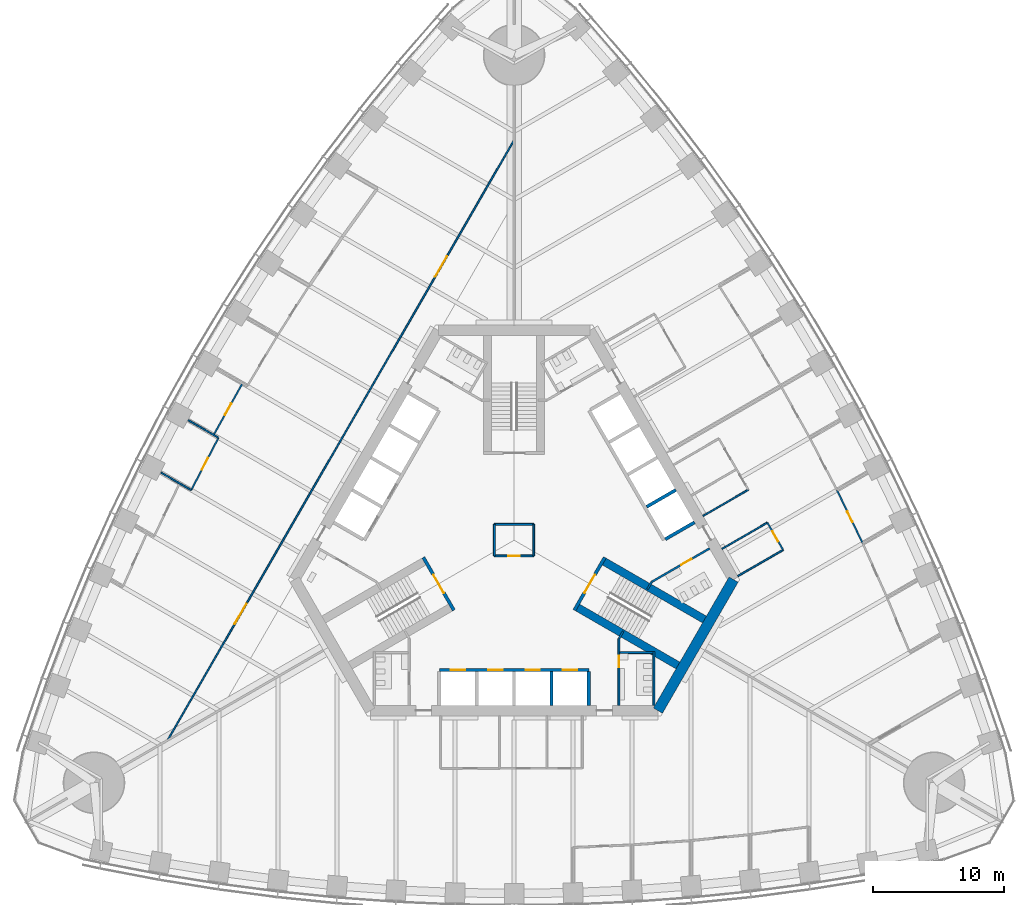
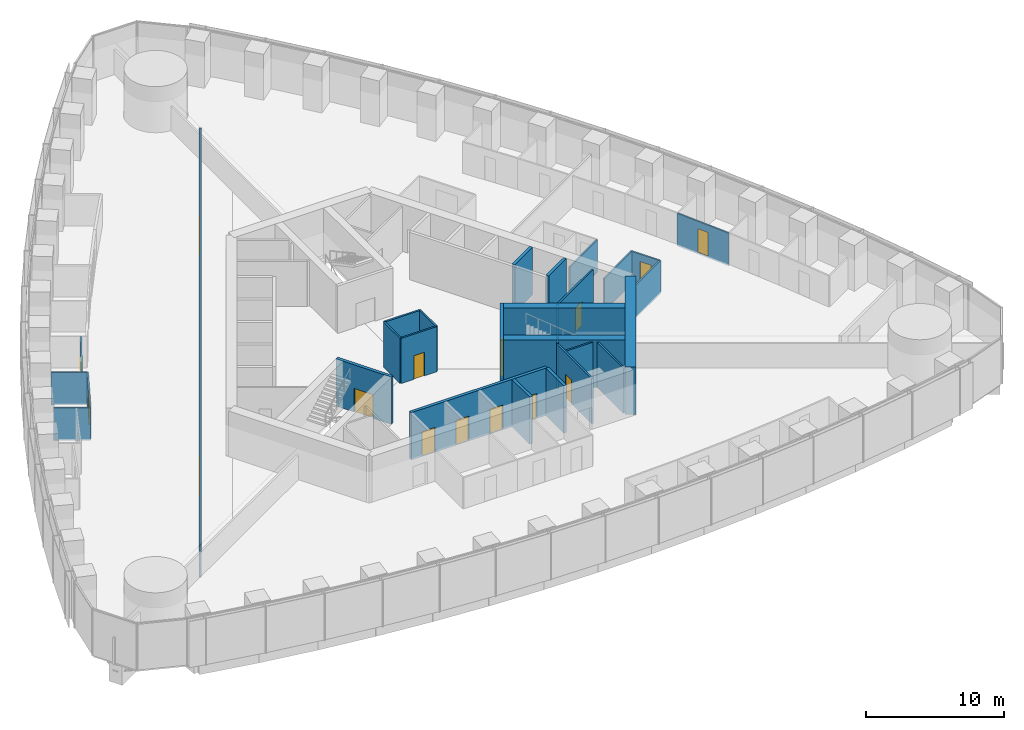
# One storey, part 11 of 18: 30 walls, 15 doors, 15 openings.
"""IFC4 building model written with IfcOpenShell, lengths in metres."""

from ifc_helpers import new_model, si_unit, direction, frame, frame_2d, origin, place, context, subcontext, project, spatial, rectangle, extrude, material, layer, layer_set, type_object, element, fill, save


model = new_model("IFC4")

# Units and contexts
model_context = context("Model", 3, precision=1e-05, world=origin(), true_north=direction((0.0, 1.0)))
body_context = subcontext(model_context, "Body", "Model", "MODEL_VIEW")
ifc_project = project(units=[si_unit("LENGTHUNIT", "METRE"), si_unit("AREAUNIT", "SQUARE_METRE"), si_unit("VOLUMEUNIT", "CUBIC_METRE"), si_unit("PLANEANGLEUNIT", "RADIAN"), si_unit("MASSUNIT", "GRAM", prefix="KILO")], contexts=[model_context])

# Site, building, storey
site_placement = place(None, origin())
site = spatial("IfcSite", under=ifc_project, at=site_placement, CompositionType="ELEMENT")
building_placement = place(site_placement, origin())
building = spatial("IfcBuilding", under=site, at=building_placement, Name="Trefoil Bronze Tower", CompositionType="ELEMENT")
storey_placement = place(building_placement, frame((0.0, 0.0, 50.10009765625)))
storey = spatial("IfcBuildingStorey", under=building, at=storey_placement, Name="L11", CompositionType="ELEMENT", Elevation=50.10009765625)

# Wall
ifc_material_1 = material(Name="Concrete B80", Category="concrete")
ifc_layer_1 = layer(ifc_material_1, 0.800048828125)
ifc_layer_set_1 = layer_set([ifc_layer_1], Name="Core wall 800")
wall_type_1 = type_object("IfcWallType", Name="Core wall 800", PredefinedType="SHEAR", material=ifc_layer_set_1)
wall_1_placement = place(storey_placement, frame((10.9697265625, -13.0, 0.0), z_axis=(0.0, 0.0, 1.0), x_axis=(0.499995765644, 0.866027848477, 0.0)))
element("IfcWall", 1, at=wall_1_placement, inside=storey, type_object=wall_type_1, Name="Core short wall 1 L11", PredefinedType="SHEAR", context=body_context, shape_type="SweptSolid", body=[
    extrude(rectangle(XDim=11.546875, YDim=0.800048828125, at=frame_2d((5.7734375, 0.0))), origin(), (0.0, 0.0, 1.0), 4.199951171875),
])

# Wall, opening, door
ifc_material_2 = material(Name="Glazed partition", Category="glass")
ifc_layer_2 = layer(ifc_material_2, 0.1201171875)
ifc_layer_set_2 = layer_set([ifc_layer_2], Name="Glazed partition 120")
wall_type_2 = type_object("IfcWallType", Name="Glazed partition 120", PredefinedType="PARTITIONING", material=ifc_layer_set_2)
wall_2_placement = place(storey_placement, frame((20.518798828125, -0.73974609375, 0.0), z_axis=(0.0, 0.0, 1.0), x_axis=(-0.499957262057, 0.866050077142, 0.0)))
wall_2 = element("IfcWall", 2, at=wall_2_placement, inside=storey, type_object=wall_type_2, Name="Partition F2 L11", PredefinedType="PARTITIONING", context=body_context, shape_type="SweptSolid", body=[
    extrude(rectangle(XDim=2.400146484375, YDim=0.1201171875, at=frame_2d((1.2001953125, 0.0))), origin(), (0.0, 0.0, 1.0), 2.89990234375),
])
opening_1_placement = place(wall_2_placement, frame((0.75, 0.0, 0.14990234375)))
opening_1 = element("IfcOpeningElement", 3, at=opening_1_placement, cuts=wall_2, Name="Opening D8", PredefinedType="OPENING", context=body_context, shape_type="SweptSolid", body=[
    extrude(rectangle(XDim=0.89990234375, YDim=2.10009765625, at=frame_2d((0.449951171875, 1.050048828125))), frame((0.0, 0.070068359375, 0.0), z_axis=(0.0, -1.0, 0.0), x_axis=(1.0, 0.0, 0.0)), (0.0, 0.0, 1.0), 0.14013671875),
])
ifc_material_3 = material(Name="Timber door", Category="wood")
door_type_1 = type_object("IfcDoorType", Name="Office door 900", OperationType="SINGLE_SWING_LEFT", PredefinedType="DOOR", material=ifc_material_3)
door_1_placement = place(opening_1_placement, origin())
door_1 = element("IfcDoor", 4, at=door_1_placement, inside=storey, type_object=door_type_1, Name="Print and store room door F2 L11", OperationType="SINGLE_SWING_RIGHT", OverallHeight=2.10009765625, OverallWidth=0.89990234375, PredefinedType="DOOR", context=body_context, shape_type="SweptSolid", body=[
    extrude(rectangle(XDim=0.89990234375, YDim=2.10009765625, at=frame_2d((0.449951171875, 1.050048828125))), frame((0.0, 0.02490234375, 0.0), z_axis=(0.0, -1.0, 0.0), x_axis=(1.0, 0.0, 0.0)), (0.0, 0.0, 1.0), 0.050048828125),
])
fill(opening_1, door_1)

# Walls
for number, where, z_axis, x_axis, name in (
    (5, (17.0546875, -2.73974609375, 0.0), (0.0, 0.0, 1.0), (0.866026010844, 0.49999894854, 0.0), "Partition F2 L11"),
    (6, (14.40478515625, 1.850341796875, 0.0), (0.0, 0.0, 1.0), (0.866026010844, 0.49999894854, 0.0), "Partition F2 L11"),
    (7, (15.854736328125, -0.6611328125, 0.0), (0.0, 0.0, 1.0), (0.866026010844, 0.49999894854, 0.0), "Partition F2 L11"),
):
    element("IfcWall", number, at=place(storey_placement, frame(where, z_axis=z_axis, x_axis=x_axis)), inside=storey, type_object=wall_type_2, Name=name, PredefinedType="PARTITIONING", context=body_context, shape_type="SweptSolid", body=[
        extrude(rectangle(XDim=4.0, YDim=0.1201171875, at=frame_2d((2.0, 0.0))), origin(), (0.0, 0.0, 1.0), 2.89990234375),
    ])

# Wall, opening, door
wall_3_placement = place(storey_placement, frame((26.590576171875, -0.236328125, 0.0), z_axis=(0.0, 0.0, 1.0), x_axis=(-0.435857917556, 0.900015486369, 0.0)))
wall_3 = element("IfcWall", 8, at=wall_3_placement, inside=storey, type_object=wall_type_2, Name="Partition F2 L11", PredefinedType="PARTITIONING", context=body_context, shape_type="SweptSolid", body=[
    extrude(rectangle(XDim=4.511962890625, YDim=0.1201171875, at=frame_2d((2.255859375, 0.0))), origin(), (0.0, 0.0, 1.0), 2.89990234375),
])
opening_2_placement = place(wall_3_placement, frame((1.800048828125, 0.0, 0.14990234375)))
opening_2 = element("IfcOpeningElement", 9, at=opening_2_placement, cuts=wall_3, Name="Opening D8", PredefinedType="OPENING", context=body_context, shape_type="SweptSolid", body=[
    extrude(rectangle(XDim=0.89990234375, YDim=2.10009765625, at=frame_2d((0.449951171875, 1.050048828125))), frame((0.0, 0.070068359375, 0.0), z_axis=(0.0, -1.0, 0.0), x_axis=(1.0, 0.0, 0.0)), (0.0, 0.0, 1.0), 0.14013671875),
])
door_2_placement = place(opening_2_placement, frame((0.89990234375, 0.0, 0.0), z_axis=(0.0, 0.0, 1.0), x_axis=(-1.0, 0.0, 0.0)))
door_2 = element("IfcDoor", 10, at=door_2_placement, inside=storey, type_object=door_type_1, Name="Office door F2 L11", OperationType="SINGLE_SWING_RIGHT", OverallHeight=2.10009765625, OverallWidth=0.89990234375, PredefinedType="DOOR", context=body_context, shape_type="SweptSolid", body=[
    extrude(rectangle(XDim=0.89990234375, YDim=2.10009765625, at=frame_2d((0.449951171875, 1.050048828125))), frame((0.0, 0.02490234375, 0.0), z_axis=(0.0, -1.0, 0.0), x_axis=(1.0, 0.0, 0.0)), (0.0, 0.0, 1.0), 0.050048828125),
])
fill(opening_2, door_2)

# Wall, openings, doors
wall_4_placement = place(storey_placement, frame((-0.016357421875, 30.491455078125, 0.0), z_axis=(0.0, 0.0, 1.0), x_axis=(-0.50000091641, -0.866024874695, 0.0)))
wall_4 = element("IfcWall", 11, at=wall_4_placement, inside=storey, type_object=wall_type_2, Name="Partition F3 L11", PredefinedType="PARTITIONING", context=body_context, shape_type="SweptSolid", body=[
    extrude(rectangle(XDim=52.79638671875, YDim=0.1201171875, at=frame_2d((26.398193359375, 0.0))), origin(), (0.0, 0.0, 1.0), 2.89990234375),
])
opening_3_placement = place(wall_4_placement, frame((10.199951171875, 0.0, 0.14990234375)))
opening_3 = element("IfcOpeningElement", 12, at=opening_3_placement, cuts=wall_4, Name="Opening D10", PredefinedType="OPENING", context=body_context, shape_type="SweptSolid", body=[
    extrude(rectangle(XDim=1.800048828125, YDim=2.10009765625, at=frame_2d((0.89990234375, 1.050048828125))), frame((0.0, 0.070068359375, 0.0), z_axis=(0.0, -1.0, 0.0), x_axis=(1.0, 0.0, 0.0)), (0.0, 0.0, 1.0), 0.14013671875),
])
opening_4_placement = place(wall_4_placement, frame((40.800048828125, 0.0, 0.14990234375)))
opening_4 = element("IfcOpeningElement", 13, at=opening_4_placement, cuts=wall_4, Name="Opening D10", PredefinedType="OPENING", context=body_context, shape_type="SweptSolid", body=[
    extrude(rectangle(XDim=1.800048828125, YDim=2.10009765625, at=frame_2d((0.89990234375, 1.050048828125))), frame((0.0, 0.070068359375, 0.0), z_axis=(0.0, -1.0, 0.0), x_axis=(1.0, 0.0, 0.0)), (0.0, 0.0, 1.0), 0.14013671875),
])
ifc_material_4 = material(Name="Timber door", Category="wood")
door_type_2 = type_object("IfcDoorType", Name="Double door 1800", OperationType="DOUBLE_DOOR_SINGLE_SWING", PredefinedType="DOOR", material=ifc_material_4)
door_3_placement = place(opening_3_placement, origin())
door_3 = element("IfcDoor", 14, at=door_3_placement, inside=storey, type_object=door_type_2, Name="Corridor door F3 L11", OperationType="DOUBLE_DOOR_SINGLE_SWING", OverallHeight=2.10009765625, OverallWidth=1.800048828125, PredefinedType="DOOR", context=body_context, shape_type="SweptSolid", body=[
    extrude(rectangle(XDim=1.800048828125, YDim=2.10009765625, at=frame_2d((0.89990234375, 1.050048828125))), frame((0.0, 0.02490234375, 0.0), z_axis=(0.0, -1.0, 0.0), x_axis=(1.0, 0.0, 0.0)), (0.0, 0.0, 1.0), 0.050048828125),
])
fill(opening_3, door_3)
door_4_placement = place(opening_4_placement, origin())
door_4 = element("IfcDoor", 15, at=door_4_placement, inside=storey, type_object=door_type_2, Name="Corridor door F3 L11", OperationType="DOUBLE_DOOR_SINGLE_SWING", OverallHeight=2.10009765625, OverallWidth=1.800048828125, PredefinedType="DOOR", context=body_context, shape_type="SweptSolid", body=[
    extrude(rectangle(XDim=1.800048828125, YDim=2.10009765625, at=frame_2d((0.89990234375, 1.050048828125))), frame((0.0, 0.02490234375, 0.0), z_axis=(0.0, -1.0, 0.0), x_axis=(1.0, 0.0, 0.0)), (0.0, 0.0, 1.0), 0.050048828125),
])
fill(opening_4, door_4)

# Wall, opening, door
wall_5_placement = place(storey_placement, frame((-20.718505859375, 11.9619140625, 0.0), z_axis=(0.0, 0.0, 1.0), x_axis=(-0.487392129584, -0.873183206446, 0.0)))
wall_5 = element("IfcWall", 16, at=wall_5_placement, inside=storey, type_object=wall_type_2, Name="Partition F3 L11", PredefinedType="PARTITIONING", context=body_context, shape_type="SweptSolid", body=[
    extrude(rectangle(XDim=4.500732421875, YDim=0.1201171875, at=frame_2d((2.25048828125, 0.0))), origin(), (0.0, 0.0, 1.0), 2.89990234375),
])
opening_5_placement = place(wall_5_placement, frame((1.75, 0.0, 0.14990234375)))
opening_5 = element("IfcOpeningElement", 17, at=opening_5_placement, cuts=wall_5, Name="Opening D9", PredefinedType="OPENING", context=body_context, shape_type="SweptSolid", body=[
    extrude(rectangle(XDim=1.0, YDim=2.10009765625, at=frame_2d((0.5, 1.050048828125))), frame((0.0, 0.070068359375, 0.0), z_axis=(0.0, -1.0, 0.0), x_axis=(1.0, 0.0, 0.0)), (0.0, 0.0, 1.0), 0.14013671875),
])
ifc_material_5 = material(Name="Glazed timber door", Category="wood")
door_type_3 = type_object("IfcDoorType", Name="Meeting room door 1000", OperationType="SINGLE_SWING_LEFT", PredefinedType="DOOR", material=ifc_material_5)
door_5_placement = place(opening_5_placement, frame((1.0, 0.0, 0.0), z_axis=(0.0, 0.0, 1.0), x_axis=(-1.0, 0.0, 0.0)))
door_5 = element("IfcDoor", 18, at=door_5_placement, inside=storey, type_object=door_type_3, Name="Project room door F3 L11", OperationType="SINGLE_SWING_RIGHT", OverallHeight=2.10009765625, OverallWidth=1.0, PredefinedType="DOOR", context=body_context, shape_type="SweptSolid", body=[
    extrude(rectangle(XDim=1.0, YDim=2.10009765625, at=frame_2d((0.5, 1.050048828125))), frame((0.0, 0.02490234375, 0.0), z_axis=(0.0, -1.0, 0.0), x_axis=(1.0, 0.0, 0.0)), (0.0, 0.0, 1.0), 0.050048828125),
])
fill(opening_5, door_5)

wall_6_placement = place(storey_placement, frame((-22.5439453125, 7.819580078125, 0.0), z_axis=(0.0, 0.0, 1.0), x_axis=(-0.461810056307, -0.886978845235, 0.0)))
wall_6 = element("IfcWall", 19, at=wall_6_placement, inside=storey, type_object=wall_type_2, Name="Partition F3 L11", PredefinedType="PARTITIONING", context=body_context, shape_type="SweptSolid", body=[
    extrude(rectangle(XDim=4.504150390625, YDim=0.1201171875, at=frame_2d((2.251953125, 0.0))), origin(), (0.0, 0.0, 1.0), 2.89990234375),
])
opening_6_placement = place(wall_6_placement, frame((1.75, 0.0, 0.14990234375)))
opening_6 = element("IfcOpeningElement", 20, at=opening_6_placement, cuts=wall_6, Name="Opening D9", PredefinedType="OPENING", context=body_context, shape_type="SweptSolid", body=[
    extrude(rectangle(XDim=1.0, YDim=2.10009765625, at=frame_2d((0.5, 1.050048828125))), frame((0.0, 0.070068359375, 0.0), z_axis=(0.0, -1.0, 0.0), x_axis=(1.0, 0.0, 0.0)), (0.0, 0.0, 1.0), 0.14013671875),
])
door_6_placement = place(opening_6_placement, frame((1.0, 0.0, 0.0), z_axis=(0.0, 0.0, 1.0), x_axis=(-1.0, 0.0, 0.0)))
door_6 = element("IfcDoor", 21, at=door_6_placement, inside=storey, type_object=door_type_3, Name="Meeting room door F3 L11", OperationType="SINGLE_SWING_RIGHT", OverallHeight=2.10009765625, OverallWidth=1.0, PredefinedType="DOOR", context=body_context, shape_type="SweptSolid", body=[
    extrude(rectangle(XDim=1.0, YDim=2.10009765625, at=frame_2d((0.5, 1.050048828125))), frame((0.0, 0.02490234375, 0.0), z_axis=(0.0, -1.0, 0.0), x_axis=(1.0, 0.0, 0.0)), (0.0, 0.0, 1.0), 0.050048828125),
])
fill(opening_6, door_6)

# Walls
wall_7_placement = place(storey_placement, frame((-22.5439453125, 7.819580078125, 0.0), z_axis=(0.0, 0.0, 1.0), x_axis=(-0.866022619654, 0.500004822225, 0.0)))
element("IfcWall", 22, at=wall_7_placement, inside=storey, type_object=wall_type_2, Name="Partition F3 L11", PredefinedType="PARTITIONING", context=body_context, shape_type="SweptSolid", body=[
    extrude(rectangle(XDim=2.66943359375, YDim=0.1201171875, at=frame_2d((1.334716796875, 0.0))), origin(), (0.0, 0.0, 1.0), 2.89990234375),
])
wall_8_placement = place(storey_placement, frame((-24.6240234375, 3.824462890625, 0.0), z_axis=(0.0, 0.0, 1.0), x_axis=(-0.866020974757, 0.500007671222, 0.0)))
element("IfcWall", 23, at=wall_8_placement, inside=storey, type_object=wall_type_2, Name="Partition F3 L11", PredefinedType="PARTITIONING", context=body_context, shape_type="SweptSolid", body=[
    extrude(rectangle(XDim=2.66748046875, YDim=0.1201171875, at=frame_2d((1.333740234375, 0.0))), origin(), (0.0, 0.0, 1.0), 2.89990234375),
])

# Wall, opening, door
ifc_material_6 = material(Name="Gypsum board on steel studs", Category="steel")
ifc_layer_3 = layer(ifc_material_6, 0.14990234375)
ifc_layer_set_3 = layer_set([ifc_layer_3], Name="Partition 150")
wall_type_3 = type_object("IfcWallType", Name="Partition 150", PredefinedType="PARTITIONING", material=ifc_layer_set_3)
wall_9_placement = place(storey_placement, frame((8.0, -7.5, 0.0), z_axis=(0.0, 0.0, 1.0), x_axis=(0.0, -1.0, 0.0)))
wall_9 = element("IfcWall", 24, at=wall_9_placement, inside=storey, type_object=wall_type_3, Name="Passage wall F1+ L11", PredefinedType="PARTITIONING", context=body_context, shape_type="SweptSolid", body=[
    extrude(rectangle(XDim=5.10009765625, YDim=0.14990234375, at=frame_2d((2.550048828125, 0.0))), origin(), (0.0, 0.0, 1.0), 4.0),
])
opening_7_placement = place(wall_9_placement, frame((1.300048828125, 0.0, 0.0)))
opening_7 = element("IfcOpeningElement", 25, at=opening_7_placement, cuts=wall_9, Name="Opening D3", PredefinedType="OPENING", context=body_context, shape_type="SweptSolid", body=[
    extrude(rectangle(XDim=0.89990234375, YDim=2.10009765625, at=frame_2d((0.449951171875, 1.050048828125))), frame((0.0, 0.0849609375, 0.0), z_axis=(0.0, -1.0, 0.0), x_axis=(1.0, 0.0, 0.0)), (0.0, 0.0, 1.0), 0.169921875),
])
ifc_material_7 = material(Name="Timber door", Category="wood")
door_type_4 = type_object("IfcDoorType", Name="WC door 900", OperationType="SINGLE_SWING_LEFT", PredefinedType="DOOR", material=ifc_material_7)
door_7_placement = place(opening_7_placement, origin())
door_7 = element("IfcDoor", 26, at=door_7_placement, inside=storey, type_object=door_type_4, Name="WC (men) door L11", OperationType="SINGLE_SWING_LEFT", OverallHeight=2.10009765625, OverallWidth=0.89990234375, PredefinedType="DOOR", context=body_context, shape_type="SweptSolid", body=[
    extrude(rectangle(XDim=0.89990234375, YDim=2.10009765625, at=frame_2d((0.449951171875, 1.050048828125))), frame((0.0, 0.02490234375, 0.0), z_axis=(0.0, -1.0, 0.0), x_axis=(1.0, 0.0, 0.0)), (0.0, 0.0, 1.0), 0.050048828125),
])
fill(opening_7, door_7)

wall_10_placement = place(storey_placement, frame((10.4951171875, -3.17822265625, 0.0), z_axis=(0.0, 0.0, 1.0), x_axis=(0.86602216432, 0.500005610874, 0.0)))
wall_10 = element("IfcWall", 27, at=wall_10_placement, inside=storey, type_object=wall_type_3, Name="Passage wall F2- L11", PredefinedType="PARTITIONING", context=body_context, shape_type="SweptSolid", body=[
    extrude(rectangle(XDim=5.10009765625, YDim=0.14990234375, at=frame_2d((2.550048828125, 0.0))), origin(), (0.0, 0.0, 1.0), 4.0),
])
opening_8_placement = place(wall_10_placement, frame((2.60009765625, 0.0, 0.0)))
opening_8 = element("IfcOpeningElement", 28, at=opening_8_placement, cuts=wall_10, Name="Opening D3", PredefinedType="OPENING", context=body_context, shape_type="SweptSolid", body=[
    extrude(rectangle(XDim=0.89990234375, YDim=2.10009765625, at=frame_2d((0.449951171875, 1.050048828125))), frame((0.0, 0.0849609375, 0.0), z_axis=(0.0, -1.0, 0.0), x_axis=(1.0, 0.0, 0.0)), (0.0, 0.0, 1.0), 0.169921875),
])
door_8_placement = place(opening_8_placement, frame((0.89990234375, 0.0, 0.0), z_axis=(0.0, 0.0, 1.0), x_axis=(-1.0, 0.0, 0.0)))
door_8 = element("IfcDoor", 29, at=door_8_placement, inside=storey, type_object=door_type_4, Name="WC (women) door L11", OperationType="SINGLE_SWING_LEFT", OverallHeight=2.10009765625, OverallWidth=0.89990234375, PredefinedType="DOOR", context=body_context, shape_type="SweptSolid", body=[
    extrude(rectangle(XDim=0.89990234375, YDim=2.10009765625, at=frame_2d((0.449951171875, 1.050048828125))), frame((0.0, 0.02490234375, 0.0), z_axis=(0.0, -1.0, 0.0), x_axis=(1.0, 0.0, 0.0)), (0.0, 0.0, 1.0), 0.050048828125),
])
fill(opening_8, door_8)

# Walls
for number, where, z_axis, x_axis, name in (
    (30, (8.0, -7.5, 0.0), (0.0, 0.0, 1.0), (0.499842556608, 0.866116284689, 0.0), "WC wall ST1-1 L11"),
    (31, (10.4951171875, -3.17822265625, 0.0), (0.0, 0.0, 1.0), (-0.499842556608, -0.866116284689, 0.0), "WC wall ST1+1 L11"),
):
    element("IfcWall", number, at=place(storey_placement, frame(where, z_axis=z_axis, x_axis=x_axis)), inside=storey, type_object=wall_type_3, Name=name, PredefinedType="PARTITIONING", context=body_context, shape_type="SweptSolid", body=[
        extrude(rectangle(XDim=0.645263671875, YDim=0.14990234375, at=frame_2d((0.32275390625, 0.0))), origin(), (0.0, 0.0, 1.0), 4.0),
    ])
wall_11_placement = place(storey_placement, frame((10.659912109375, -8.5, 0.0), z_axis=(0.0, 0.0, 1.0), x_axis=(0.0, -1.0, 0.0)))
element("IfcWall", 32, at=wall_11_placement, inside=storey, type_object=wall_type_3, Name="WC partition WC (men) L11", PredefinedType="PARTITIONING", context=body_context, shape_type="SweptSolid", body=[
    extrude(rectangle(XDim=4.10009765625, YDim=0.14990234375, at=frame_2d((2.050048828125, 0.0))), origin(), (0.0, 0.0, 1.0), 4.0),
])
wall_12_placement = place(storey_placement, frame((8.074951171875, -8.574951171875, 0.0), z_axis=(0.0, 0.0, 1.0), x_axis=(1.0, 0.0, 0.0)))
element("IfcWall", 33, at=wall_12_placement, inside=storey, type_object=wall_type_3, Name="WC partition WC (men) L11", PredefinedType="PARTITIONING", context=body_context, shape_type="SweptSolid", body=[
    extrude(rectangle(XDim=2.510009765625, YDim=0.14990234375, at=frame_2d((1.2548828125, 0.0))), origin(), (0.0, 0.0, 1.0), 4.0),
])

# Wall, opening, door
ifc_material_8 = material(Name="Gypsum board on steel studs", Category="steel")
ifc_layer_4 = layer(ifc_material_8, 0.14990234375)
ifc_layer_set_4 = layer_set([ifc_layer_4], Name="Riser wall 150")
wall_type_4 = type_object("IfcWallType", Name="Riser wall 150", PredefinedType="PARTITIONING", material=ifc_layer_set_4)
wall_13_placement = place(storey_placement, frame((-1.5, -1.199951171875, 0.0), z_axis=(0.0, 0.0, 1.0), x_axis=(1.0, 0.0, 0.0)))
wall_13 = element("IfcWall", 34, at=wall_13_placement, inside=storey, type_object=wall_type_4, Name="Riser wall L11", PredefinedType="PARTITIONING", context=body_context, shape_type="SweptSolid", body=[
    extrude(rectangle(XDim=3.0, YDim=0.14990234375, at=frame_2d((1.5, 0.0))), origin(), (0.0, 0.0, 1.0), 4.0),
])
opening_9_placement = place(wall_13_placement, frame((1.050048828125, 0.0, 0.0)))
opening_9 = element("IfcOpeningElement", 35, at=opening_9_placement, cuts=wall_13, Name="Opening D4", PredefinedType="OPENING", context=body_context, shape_type="SweptSolid", body=[
    extrude(rectangle(XDim=0.89990234375, YDim=2.10009765625, at=frame_2d((0.449951171875, 1.050048828125))), frame((0.0, 0.0849609375, 0.0), z_axis=(0.0, -1.0, 0.0), x_axis=(1.0, 0.0, 0.0)), (0.0, 0.0, 1.0), 0.169921875),
])
ifc_material_9 = material(Name="Steel door", Category="steel")
door_type_5 = type_object("IfcDoorType", Name="Riser door 900", OperationType="SINGLE_SWING_LEFT", PredefinedType="DOOR", material=ifc_material_9)
door_9_placement = place(opening_9_placement, frame((0.89990234375, 0.0, 0.0), z_axis=(0.0, 0.0, 1.0), x_axis=(-1.0, 0.0, 0.0)))
door_9 = element("IfcDoor", 36, at=door_9_placement, inside=storey, type_object=door_type_5, Name="Riser door L11", OperationType="SINGLE_SWING_LEFT", OverallHeight=2.10009765625, OverallWidth=0.89990234375, PredefinedType="DOOR", context=body_context, shape_type="SweptSolid", body=[
    extrude(rectangle(XDim=0.89990234375, YDim=2.10009765625, at=frame_2d((0.449951171875, 1.050048828125))), frame((0.0, 0.02490234375, 0.0), z_axis=(0.0, -1.0, 0.0), x_axis=(1.0, 0.0, 0.0)), (0.0, 0.0, 1.0), 0.050048828125),
])
fill(opening_9, door_9)

# Walls
wall_14_placement = place(storey_placement, frame((1.5, -1.199951171875, 0.0), z_axis=(0.0, 0.0, 1.0), x_axis=(0.0, 1.0, 0.0)))
element("IfcWall", 37, at=wall_14_placement, inside=storey, type_object=wall_type_4, Name="Riser wall L11", PredefinedType="PARTITIONING", context=body_context, shape_type="SweptSolid", body=[
    extrude(rectangle(XDim=2.39990234375, YDim=0.14990234375, at=frame_2d((1.199951171875, 0.0))), origin(), (0.0, 0.0, 1.0), 4.0),
])
wall_15_placement = place(storey_placement, frame((1.5, 1.199951171875, 0.0), z_axis=(0.0, 0.0, 1.0), x_axis=(-1.0, 0.0, 0.0)))
element("IfcWall", 38, at=wall_15_placement, inside=storey, type_object=wall_type_4, Name="Riser wall L11", PredefinedType="PARTITIONING", context=body_context, shape_type="SweptSolid", body=[
    extrude(rectangle(XDim=3.0, YDim=0.14990234375, at=frame_2d((1.5, 0.0))), origin(), (0.0, 0.0, 1.0), 4.0),
])
wall_16_placement = place(storey_placement, frame((-1.5, 1.199951171875, 0.0), z_axis=(0.0, 0.0, 1.0), x_axis=(0.0, -1.0, 0.0)))
element("IfcWall", 39, at=wall_16_placement, inside=storey, type_object=wall_type_4, Name="Riser wall L11", PredefinedType="PARTITIONING", context=body_context, shape_type="SweptSolid", body=[
    extrude(rectangle(XDim=2.39990234375, YDim=0.14990234375, at=frame_2d((1.199951171875, 0.0))), origin(), (0.0, 0.0, 1.0), 4.0),
])

# Wall, openings, doors
ifc_material_10 = material(Name="Concrete B80", Category="concrete")
ifc_layer_5 = layer(ifc_material_10, 0.25)
ifc_layer_set_5 = layer_set([ifc_layer_5], Name="Shaft wall 250")
wall_type_5 = type_object("IfcWallType", Name="Shaft wall 250", PredefinedType="SHEAR", material=ifc_layer_set_5)
wall_17_placement = place(storey_placement, frame((-5.699951171875, -9.89990234375, 0.0), z_axis=(0.0, 0.0, 1.0), x_axis=(1.0, 0.0, 0.0)))
wall_17 = element("IfcWall", 40, at=wall_17_placement, inside=storey, type_object=wall_type_5, Name="Lift shaft front wall A L11", PredefinedType="SHEAR", context=body_context, shape_type="SweptSolid", body=[
    extrude(rectangle(XDim=11.39990234375, YDim=0.25, at=frame_2d((5.699951171875, 0.0))), origin(), (0.0, 0.0, 1.0), 4.199951171875),
])
opening_10_placement = place(wall_17_placement, frame((0.875, 0.0, 0.0)))
opening_10 = element("IfcOpeningElement", 41, at=opening_10_placement, cuts=wall_17, Name="Opening LD-P11", PredefinedType="OPENING", context=body_context, shape_type="SweptSolid", body=[
    extrude(rectangle(XDim=1.10009765625, YDim=2.199951171875, at=frame_2d((0.550048828125, 1.10009765625))), frame((0.0, 0.135009765625, 0.0), z_axis=(0.0, -1.0, 0.0), x_axis=(1.0, 0.0, 0.0)), (0.0, 0.0, 1.0), 0.27001953125),
])
opening_11_placement = place(wall_17_placement, frame((3.72509765625, 0.0, 0.0)))
opening_11 = element("IfcOpeningElement", 42, at=opening_11_placement, cuts=wall_17, Name="Opening LD-P12", PredefinedType="OPENING", context=body_context, shape_type="SweptSolid", body=[
    extrude(rectangle(XDim=1.10009765625, YDim=2.199951171875, at=frame_2d((0.550048828125, 1.10009765625))), frame((0.0, 0.135009765625, 0.0), z_axis=(0.0, -1.0, 0.0), x_axis=(1.0, 0.0, 0.0)), (0.0, 0.0, 1.0), 0.27001953125),
])
opening_12_placement = place(wall_17_placement, frame((6.574951171875, 0.0, 0.0)))
opening_12 = element("IfcOpeningElement", 43, at=opening_12_placement, cuts=wall_17, Name="Opening LD-P13", PredefinedType="OPENING", context=body_context, shape_type="SweptSolid", body=[
    extrude(rectangle(XDim=1.10009765625, YDim=2.199951171875, at=frame_2d((0.550048828125, 1.10009765625))), frame((0.0, 0.135009765625, 0.0), z_axis=(0.0, -1.0, 0.0), x_axis=(1.0, 0.0, 0.0)), (0.0, 0.0, 1.0), 0.27001953125),
])
opening_13_placement = place(wall_17_placement, frame((9.425048828125, 0.0, 0.0)))
opening_13 = element("IfcOpeningElement", 44, at=opening_13_placement, cuts=wall_17, Name="Opening LD-P14", PredefinedType="OPENING", context=body_context, shape_type="SweptSolid", body=[
    extrude(rectangle(XDim=1.10009765625, YDim=2.199951171875, at=frame_2d((0.550048828125, 1.10009765625))), frame((0.0, 0.135009765625, 0.0), z_axis=(0.0, -1.0, 0.0), x_axis=(1.0, 0.0, 0.0)), (0.0, 0.0, 1.0), 0.27001953125),
])
ifc_material_11 = material(Name="Steel door", Category="steel")
door_type_6 = type_object("IfcDoorType", Name="Lift landing door 1100", OperationType="DOUBLE_DOOR_SLIDING", PredefinedType="DOOR", material=ifc_material_11)
door_10_placement = place(opening_10_placement, origin())
door_10 = element("IfcDoor", 45, at=door_10_placement, inside=storey, type_object=door_type_6, Name="Lift P11 landing door L11", OperationType="DOUBLE_DOOR_SLIDING", OverallHeight=2.199951171875, OverallWidth=1.10009765625, PredefinedType="DOOR", context=body_context, shape_type="SweptSolid", body=[
    extrude(rectangle(XDim=1.10009765625, YDim=2.199951171875, at=frame_2d((0.550048828125, 1.10009765625))), frame((0.0, 0.02490234375, 0.0), z_axis=(0.0, -1.0, 0.0), x_axis=(1.0, 0.0, 0.0)), (0.0, 0.0, 1.0), 0.050048828125),
])
fill(opening_10, door_10)
door_11_placement = place(opening_11_placement, origin())
door_11 = element("IfcDoor", 46, at=door_11_placement, inside=storey, type_object=door_type_6, Name="Lift P12 landing door L11", OperationType="DOUBLE_DOOR_SLIDING", OverallHeight=2.199951171875, OverallWidth=1.10009765625, PredefinedType="DOOR", context=body_context, shape_type="SweptSolid", body=[
    extrude(rectangle(XDim=1.10009765625, YDim=2.199951171875, at=frame_2d((0.550048828125, 1.10009765625))), frame((0.0, 0.02490234375, 0.0), z_axis=(0.0, -1.0, 0.0), x_axis=(1.0, 0.0, 0.0)), (0.0, 0.0, 1.0), 0.050048828125),
])
fill(opening_11, door_11)
door_12_placement = place(opening_12_placement, origin())
door_12 = element("IfcDoor", 47, at=door_12_placement, inside=storey, type_object=door_type_6, Name="Lift P13 landing door L11", OperationType="DOUBLE_DOOR_SLIDING", OverallHeight=2.199951171875, OverallWidth=1.10009765625, PredefinedType="DOOR", context=body_context, shape_type="SweptSolid", body=[
    extrude(rectangle(XDim=1.10009765625, YDim=2.199951171875, at=frame_2d((0.550048828125, 1.10009765625))), frame((0.0, 0.02490234375, 0.0), z_axis=(0.0, -1.0, 0.0), x_axis=(1.0, 0.0, 0.0)), (0.0, 0.0, 1.0), 0.050048828125),
])
fill(opening_12, door_12)
door_13_placement = place(opening_13_placement, origin())
door_13 = element("IfcDoor", 48, at=door_13_placement, inside=storey, type_object=door_type_6, Name="Lift P14 landing door L11", OperationType="DOUBLE_DOOR_SLIDING", OverallHeight=2.199951171875, OverallWidth=1.10009765625, PredefinedType="DOOR", context=body_context, shape_type="SweptSolid", body=[
    extrude(rectangle(XDim=1.10009765625, YDim=2.199951171875, at=frame_2d((0.550048828125, 1.10009765625))), frame((0.0, 0.02490234375, 0.0), z_axis=(0.0, -1.0, 0.0), x_axis=(1.0, 0.0, 0.0)), (0.0, 0.0, 1.0), 0.050048828125),
])
fill(opening_13, door_13)

# Walls
for number, where, z_axis, x_axis, name in (
    (49, (2.85009765625, -10.02490234375, 0.0), (0.0, 0.0, 1.0), (0.0, -1.0, 0.0), "Lift shaft side wall A3 L11"),
    (50, (5.699951171875, -10.02490234375, 0.0), (0.0, 0.0, 1.0), (0.0, -1.0, 0.0), "Lift shaft side wall A4 L11"),
):
    element("IfcWall", number, at=place(storey_placement, frame(where, z_axis=z_axis, x_axis=x_axis)), inside=storey, type_object=wall_type_5, Name=name, PredefinedType="SHEAR", context=body_context, shape_type="SweptSolid", body=[
        extrude(rectangle(XDim=2.5751953125, YDim=0.25, at=frame_2d((1.28759765625, 0.0))), origin(), (0.0, 0.0, 1.0), 4.199951171875),
    ])
for number, where, z_axis, x_axis, name in (
    (51, (11.531982421875, 0.076171875, 0.0), (0.0, 0.0, 1.0), (0.866005588531, 0.500034319456, 0.0), "Lift shaft side wall B0 L11"),
    (52, (10.10693359375, 2.54443359375, 0.0), (0.0, 0.0, 1.0), (0.866046643894, 0.499963209246, 0.0), "Lift shaft side wall B1 L11"),
):
    element("IfcWall", number, at=place(storey_placement, frame(where, z_axis=z_axis, x_axis=x_axis)), inside=storey, type_object=wall_type_5, Name=name, PredefinedType="SHEAR", context=body_context, shape_type="SweptSolid", body=[
        extrude(rectangle(XDim=2.574951171875, YDim=0.25, at=frame_2d((1.28759765625, 0.0))), origin(), (0.0, 0.0, 1.0), 4.199951171875),
    ])

# Wall, opening, door
wall_18_placement = place(storey_placement, frame((4.5966796875, -5.338623046875, 0.0), z_axis=(0.0, 0.0, 1.0), x_axis=(0.499984536904, 0.866034331223, 0.0)))
wall_18 = element("IfcWall", 53, at=wall_18_placement, inside=storey, type_object=wall_type_5, Name="Stair end wall ST1 L11", PredefinedType="SHEAR", context=body_context, shape_type="SweptSolid", body=[
    extrude(rectangle(XDim=4.650146484375, YDim=0.25, at=frame_2d((2.3251953125, 0.0))), origin(), (0.0, 0.0, 1.0), 4.199951171875),
])
opening_14_placement = place(wall_18_placement, frame((1.52490234375, 0.0, 0.0)))
opening_14 = element("IfcOpeningElement", 54, at=opening_14_placement, cuts=wall_18, Name="Opening D1", PredefinedType="OPENING", context=body_context, shape_type="SweptSolid", body=[
    extrude(rectangle(XDim=1.60009765625, YDim=2.10009765625, at=frame_2d((0.800048828125, 1.050048828125))), frame((0.0, 0.135009765625, 0.0), z_axis=(0.0, -1.0, 0.0), x_axis=(1.0, 0.0, 0.0)), (0.0, 0.0, 1.0), 0.27001953125),
])
ifc_material_12 = material(Name="Steel door", Category="steel")
door_type_7 = type_object("IfcDoorType", Name="Stair door 1600", OperationType="DOUBLE_DOOR_SINGLE_SWING", PredefinedType="DOOR", material=ifc_material_12)
door_14_placement = place(opening_14_placement, frame((1.60009765625, 0.0, 0.0), z_axis=(0.0, 0.0, 1.0), x_axis=(-1.0, 0.0, 0.0)))
door_14 = element("IfcDoor", 55, at=door_14_placement, inside=storey, type_object=door_type_7, Name="Stair door ST1 L11", OperationType="DOUBLE_DOOR_SINGLE_SWING", OverallHeight=2.10009765625, OverallWidth=1.60009765625, PredefinedType="DOOR", context=body_context, shape_type="SweptSolid", body=[
    extrude(rectangle(XDim=1.60009765625, YDim=2.10009765625, at=frame_2d((0.800048828125, 1.050048828125))), frame((0.0, 0.02490234375, 0.0), z_axis=(0.0, -1.0, 0.0), x_axis=(1.0, 0.0, 0.0)), (0.0, 0.0, 1.0), 0.050048828125),
])
fill(opening_14, door_14)

wall_19_placement = place(storey_placement, frame((-6.921630859375, -1.3115234375, 0.0), z_axis=(0.0, 0.0, 1.0), x_axis=(0.499984536904, -0.866034331223, 0.0)))
wall_19 = element("IfcWall", 56, at=wall_19_placement, inside=storey, type_object=wall_type_5, Name="Stair end wall ST3 L11", PredefinedType="SHEAR", context=body_context, shape_type="SweptSolid", body=[
    extrude(rectangle(XDim=4.650146484375, YDim=0.25, at=frame_2d((2.3251953125, 0.0))), origin(), (0.0, 0.0, 1.0), 4.199951171875),
])
opening_15_placement = place(wall_19_placement, frame((1.52490234375, 0.0, 0.0)))
opening_15 = element("IfcOpeningElement", 57, at=opening_15_placement, cuts=wall_19, Name="Opening D1", PredefinedType="OPENING", context=body_context, shape_type="SweptSolid", body=[
    extrude(rectangle(XDim=1.60009765625, YDim=2.10009765625, at=frame_2d((0.800048828125, 1.050048828125))), frame((0.0, 0.135009765625, 0.0), z_axis=(0.0, -1.0, 0.0), x_axis=(1.0, 0.0, 0.0)), (0.0, 0.0, 1.0), 0.27001953125),
])
door_15_placement = place(opening_15_placement, frame((1.60009765625, 0.0, 0.0), z_axis=(0.0, 0.0, 1.0), x_axis=(-1.0, 0.0, 0.0)))
door_15 = element("IfcDoor", 58, at=door_15_placement, inside=storey, type_object=door_type_7, Name="Stair door ST3 L11", OperationType="DOUBLE_DOOR_SINGLE_SWING", OverallHeight=2.10009765625, OverallWidth=1.60009765625, PredefinedType="DOOR", context=body_context, shape_type="SweptSolid", body=[
    extrude(rectangle(XDim=1.60009765625, YDim=2.10009765625, at=frame_2d((0.800048828125, 1.050048828125))), frame((0.0, 0.02490234375, 0.0), z_axis=(0.0, -1.0, 0.0), x_axis=(1.0, 0.0, 0.0)), (0.0, 0.0, 1.0), 0.050048828125),
])
fill(opening_15, door_15)

# Walls
ifc_material_13 = material(Name="Concrete B80", Category="concrete")
ifc_layer_6 = layer(ifc_material_13, 0.60009765625)
ifc_layer_set_6 = layer_set([ifc_layer_6], Name="Stair wall 600")
wall_type_6 = type_object("IfcWallType", Name="Stair wall 600", PredefinedType="SHEAR", material=ifc_layer_set_6)
for number, where, z_axis, x_axis, name in (
    (59, (4.638427734375, -5.01611328125, 0.0), (0.0, 0.0, 1.0), (0.866019375473, -0.500010441196, 0.0), "Stair wall ST1 L11"),
    (60, (6.663330078125, -1.5087890625, 0.0), (0.0, 0.0, 1.0), (0.866019375473, -0.500010441196, 0.0), "Stair wall ST1 L11"),
):
    element("IfcWall", number, at=place(storey_placement, frame(where, z_axis=z_axis, x_axis=x_axis)), inside=storey, type_object=wall_type_6, Name=name, PredefinedType="SHEAR", context=body_context, shape_type="SweptSolid", body=[
        extrude(rectangle(XDim=9.074951171875, YDim=0.60009765625, at=frame_2d((4.53759765625, 0.0))), origin(), (0.0, 0.0, 1.0), 4.199951171875),
    ])

save(model, "model.ifc")
